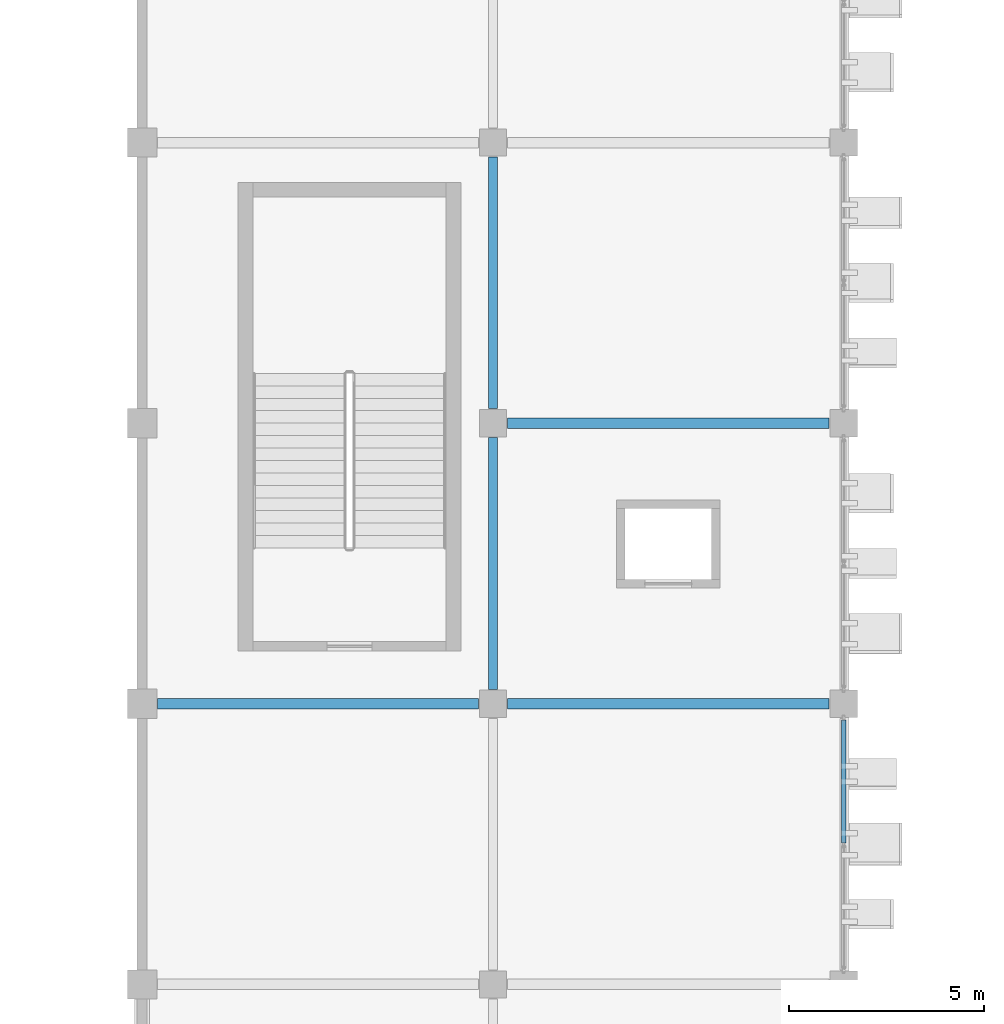
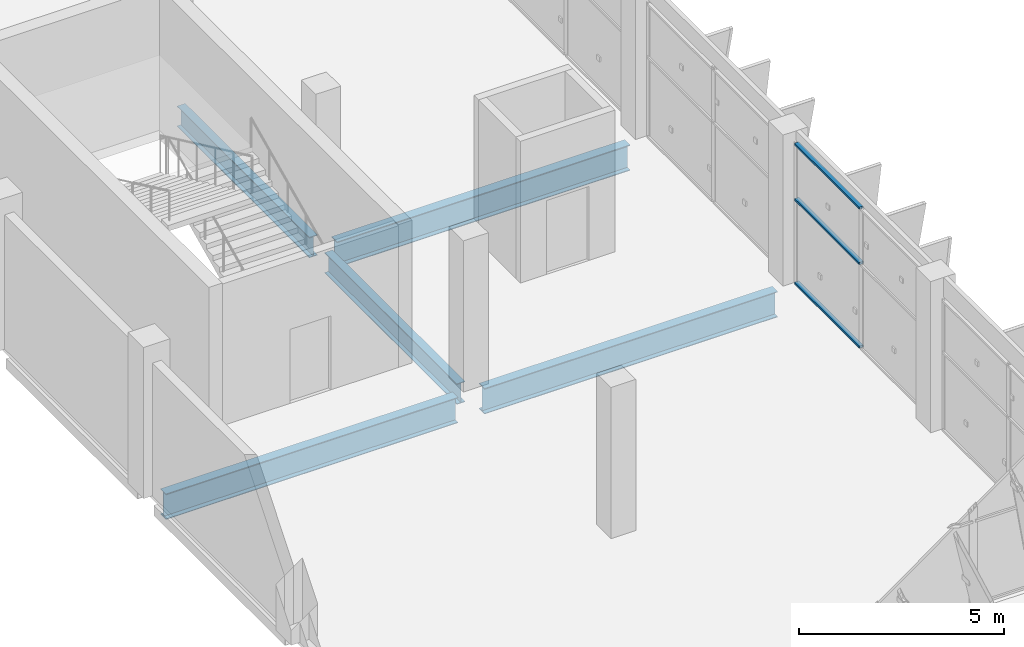
# One storey, part 48 of 151: 5 beams, 3 members, 1 element without a shape of its own.
"""IFC4 building model written with IfcOpenShell, lengths in metres."""

from ifc_helpers import new_model, si_unit, direction, frame, origin, origin_2d, place, context, subcontext, project, spatial, hollow_rectangle, i_section, extrude, material, layer, layer_set, material_profile, profile_set, type_object, element, aggregate, save


model = new_model("IFC4")

# Units and contexts
model_context = context("Model", 3, precision=1e-05, world=origin(), true_north=direction((0.0, 1.0)))
body_context = subcontext(model_context, "Body", "Model", "MODEL_VIEW")
ifc_project = project(units=[si_unit("LENGTHUNIT", "METRE"), si_unit("AREAUNIT", "SQUARE_METRE"), si_unit("VOLUMEUNIT", "CUBIC_METRE"), si_unit("PLANEANGLEUNIT", "RADIAN"), si_unit("MASSUNIT", "GRAM", prefix="KILO")], contexts=[model_context])

# Site, building, storey
site_placement = place(None, origin())
site = spatial("IfcSite", under=ifc_project, at=site_placement, CompositionType="ELEMENT")
building_placement = place(site_placement, origin())
building = spatial("IfcBuilding", under=site, at=building_placement, Name="Celestram Park Convention Centre", CompositionType="ELEMENT")
storey_placement = place(building_placement, frame((0.0, 0.0, 10.800048828125)))
storey = spatial("IfcBuildingStorey", under=building, at=storey_placement, Name="L02", CompositionType="ELEMENT", Elevation=10.800048828125)

# Curtain wall, members
ifc_material_1 = material(Name="Anodised Aluminium Alloy 6063-T6", Category="aluminium")
ifc_layer = layer(ifc_material_1, 0.179931640625)
ifc_layer_set = layer_set([ifc_layer], Name="Anodised Aluminium Alloy 6063-T6")
curtain_wall_type = type_object("IfcCurtainWallType", Name="ARC-CW-650X420", PredefinedType="NOTDEFINED", material=ifc_layer_set)
curtain_wall_placement = place(storey_placement, origin())
curtain_wall = element("IfcCurtainWall", 1, at=curtain_wall_placement, inside=storey, type_object=curtain_wall_type, Name="Unitised curtain wall CU-L02-191", PredefinedType="NOTDEFINED")
ifc_material_profile_1 = material_profile(ifc_material_1, hollow_rectangle(XDim=0.1201171875, YDim=0.06005859375, WallThickness=0.0029296875, at=origin_2d()), Name="ALU120X60X3")
ifc_profile_set_1 = profile_set([ifc_material_profile_1], Name="Anodised Aluminium Alloy 6063-T6")
member_type = type_object("IfcMemberType", Name="ARC-CWT-120", PredefinedType="USERDEFINED", material=ifc_profile_set_1)
member_1_placement = place(storey_placement, frame((144.0, 49.987060546875, 0.030029296875), z_axis=(0.0, -1.0, 0.0), x_axis=(1.0, 0.0, 0.0)))
member_1 = element("IfcMember", 2, at=member_1_placement, type_object=member_type, Name="CW-65X42 transom 1.1", ObjectType="TRANSOM", PredefinedType="USERDEFINED", context=body_context, shape_type="SweptSolid", body=[
    extrude(hollow_rectangle(XDim=0.1201171875, YDim=0.06005859375, WallThickness=0.0029296875, at=origin_2d()), origin(), (0.0, 0.0, 1.0), 3.154541015625),
])
member_2_placement = place(storey_placement, frame((144.0, 49.987060546875, 2.52001953125), z_axis=(0.0, -1.0, 0.0), x_axis=(1.0, 0.0, 0.0)))
member_2 = element("IfcMember", 3, at=member_2_placement, type_object=member_type, Name="CW-65X42 transom 1.2", ObjectType="TRANSOM", PredefinedType="USERDEFINED", context=body_context, shape_type="SweptSolid", body=[
    extrude(hollow_rectangle(XDim=0.1201171875, YDim=0.06005859375, WallThickness=0.0029296875, at=origin_2d()), origin(), (0.0, 0.0, 1.0), 3.154541015625),
])
member_3_placement = place(storey_placement, frame((144.0, 49.987060546875, 4.169921875), z_axis=(0.0, -1.0, 0.0), x_axis=(1.0, 0.0, 0.0)))
member_3 = element("IfcMember", 4, at=member_3_placement, type_object=member_type, Name="CW-65X42 transom 1.3", ObjectType="TRANSOM", PredefinedType="USERDEFINED", context=body_context, shape_type="SweptSolid", body=[
    extrude(hollow_rectangle(XDim=0.1201171875, YDim=0.06005859375, WallThickness=0.0029296875, at=origin_2d()), origin(), (0.0, 0.0, 1.0), 3.154541015625),
])
aggregate(curtain_wall, [member_1, member_2, member_3])

# Beams
ifc_material_2 = material(Name="Steel ASTM A992 Grade 50", Category="steel")
ifc_material_profile_2 = material_profile(ifc_material_2, i_section(OverallWidth=0.22900390625, OverallDepth=0.612060546875, WebThickness=0.011962890625, FlangeThickness=0.01953125, at=origin_2d()), Name="W24X84")
ifc_profile_set_2 = profile_set([ifc_material_profile_2], Name="Steel ASTM A992 Grade 50")
beam_type_1 = type_object("IfcBeamType", Name="STR-BM-W24X84", PredefinedType="BEAM", material=ifc_profile_set_2)
for number, where, z_axis, x_axis, name in (
    (5, (135.0, 50.77294921875, -0.5859375), (0.0, 1.0, 0.0), (-1.0, 0.0, 0.0), "Primary Y-girder BG-L02-0203"),
    (6, (135.0, 57.972900390625, -0.5859375), (0.0, 1.0, 0.0), (-1.0, 0.0, 0.0), "Primary Y-girder BG-L02-0205"),
):
    element("IfcBeam", number, at=place(storey_placement, frame(where, z_axis=z_axis, x_axis=x_axis)), inside=storey, type_object=beam_type_1, Name=name, PredefinedType="BEAM", context=body_context, shape_type="SweptSolid", body=[
        extrude(i_section(OverallWidth=0.22900390625, OverallDepth=0.612060546875, WebThickness=0.011962890625, FlangeThickness=0.01953125, at=origin_2d()), origin(), (0.0, 0.0, 1.0), 6.4541015625),
    ])
ifc_material_profile_3 = material_profile(ifc_material_2, i_section(OverallWidth=0.26708984375, OverallDepth=0.761962890625, WebThickness=0.014404296875, FlangeThickness=0.021484375, at=origin_2d()), Name="W30X116")
ifc_profile_set_3 = profile_set([ifc_material_profile_3], Name="Steel ASTM A992 Grade 50")
beam_type_2 = type_object("IfcBeamType", Name="STR-BM-W30X116", PredefinedType="BEAM", material=ifc_profile_set_3)
beam_placement = place(storey_placement, frame((126.39794921875, 50.39990234375, -0.6611328125), z_axis=(1.0, 0.0, 0.0), x_axis=(0.0, 1.0, 0.0)))
element("IfcBeam", 7, at=beam_placement, inside=storey, type_object=beam_type_2, Name="Primary X-girder BG-L02-0164", PredefinedType="BEAM", context=body_context, shape_type="SweptSolid", body=[
    extrude(i_section(OverallWidth=0.26708984375, OverallDepth=0.761962890625, WebThickness=0.014404296875, FlangeThickness=0.021484375, at=origin_2d()), origin(), (0.0, 0.0, 1.0), 8.22900390625),
])
for number, where, z_axis, x_axis, name in (
    (8, (135.373046875, 50.39990234375, -0.6611328125), (1.0, 0.0, 0.0), (0.0, 1.0, 0.0), "Primary X-girder BG-L02-0202"),
    (9, (135.373046875, 57.60009765625, -0.6611328125), (1.0, 0.0, 0.0), (0.0, 1.0, 0.0), "Primary X-girder BG-L02-0204"),
):
    element("IfcBeam", number, at=place(storey_placement, frame(where, z_axis=z_axis, x_axis=x_axis)), inside=storey, type_object=beam_type_2, Name=name, PredefinedType="BEAM", context=body_context, shape_type="SweptSolid", body=[
        extrude(i_section(OverallWidth=0.26708984375, OverallDepth=0.761962890625, WebThickness=0.014404296875, FlangeThickness=0.021484375, at=origin_2d()), origin(), (0.0, 0.0, 1.0), 8.25390625),
    ])

save(model, "model.ifc")
